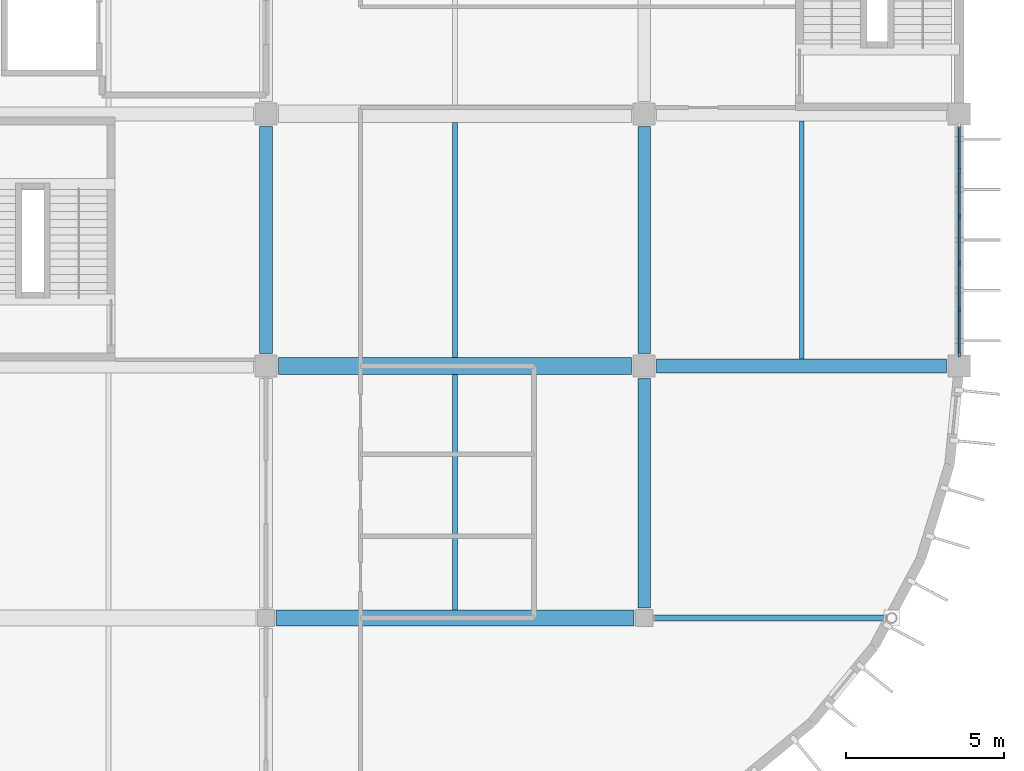
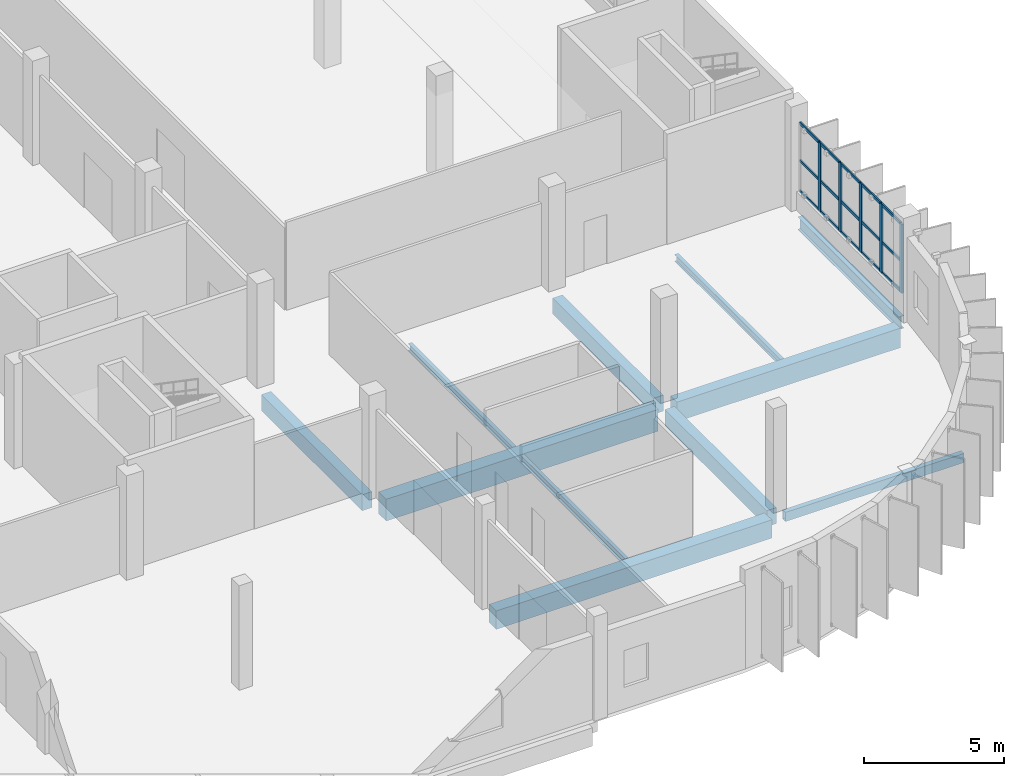
# One storey, part 42 of 93: 20 members, 11 beams, 1 element without a shape of its own.
"""IFC4 building model written with IfcOpenShell, lengths in metres."""

from ifc_helpers import new_model, si_unit, direction, frame, origin, origin_2d, place, context, subcontext, project, spatial, rectangle, hollow_rectangle, i_section, extrude, material, layer, layer_set, material_profile, profile_set, type_object, element, aggregate, save


model = new_model("IFC4")

# Units and contexts
model_context = context("Model", 3, precision=1e-05, world=origin(), true_north=direction((0.0, 1.0)))
body_context = subcontext(model_context, "Body", "Model", "MODEL_VIEW")
ifc_project = project(units=[si_unit("LENGTHUNIT", "METRE"), si_unit("AREAUNIT", "SQUARE_METRE"), si_unit("VOLUMEUNIT", "CUBIC_METRE"), si_unit("PLANEANGLEUNIT", "RADIAN"), si_unit("MASSUNIT", "GRAM", prefix="KILO")], contexts=[model_context])

# Site, building, storey
site_placement = place(None, origin())
site = spatial("IfcSite", under=ifc_project, at=site_placement, CompositionType="ELEMENT")
building_placement = place(site_placement, origin())
building = spatial("IfcBuilding", under=site, at=building_placement, Name="Drelvana Railside Aquatics Centre", CompositionType="ELEMENT")
storey_placement = place(building_placement, frame((0.0, 0.0, 5.39990234375)))
storey = spatial("IfcBuildingStorey", under=building, at=storey_placement, Name="L01", CompositionType="ELEMENT", Elevation=5.39990234375)

# Curtain wall, members
ifc_material_1 = material(Name="Bronze-anodised aluminium curtain wall", Category="aluminium")
ifc_layer = layer(ifc_material_1, 0.175048828125, Name="Bronze-anodised aluminium curtain wall")
ifc_layer_set = layer_set([ifc_layer], Name="Bronze-anodised aluminium curtain wall")
curtain_wall_type = type_object("IfcCurtainWallType", Name="CW-Z6-WING", PredefinedType="NOTDEFINED", material=ifc_layer_set)
curtain_wall_placement = place(storey_placement, origin())
curtain_wall = element("IfcCurtainWall", 1, at=curtain_wall_placement, inside=storey, type_object=curtain_wall_type, Name="Curtain wall CW-06-167", PredefinedType="NOTDEFINED")
ifc_material_2 = material(Name="Bronze-anodised aluminium 6063-T6", Category="aluminium")
ifc_material_profile_1 = material_profile(ifc_material_2, rectangle(XDim=0.06494140625, YDim=0.175048828125, at=origin_2d()), Name="ALU-M 65x175")
ifc_profile_set_1 = profile_set([ifc_material_profile_1], Name="Bronze-anodised aluminium 6063-T6")
member_type_1 = type_object("IfcMemberType", Name="CW-Z6-WING-MUL", PredefinedType="MULLION", material=ifc_profile_set_1)
member_1_placement = place(storey_placement, frame((184.0, 24.37646484375, 0.794189453125), z_axis=(0.0, 0.0, 1.0), x_axis=(-1.0, 0.0, 0.0)))
member_1 = element("IfcMember", 2, at=member_1_placement, type_object=member_type_1, Name="CW-06 mullion 1", PredefinedType="MULLION", context=body_context, shape_type="SweptSolid", body=[
    extrude(rectangle(XDim=0.06494140625, YDim=0.175048828125, at=origin_2d()), origin(), (0.0, 0.0, 1.0), 3.005859375),
])
member_2_placement = place(storey_placement, frame((184.0, 25.806396484375, 0.794189453125), z_axis=(0.0, 0.0, 1.0), x_axis=(-1.0, 0.0, 0.0)))
member_2 = element("IfcMember", 3, at=member_2_placement, type_object=member_type_1, Name="CW-06 mullion 2", PredefinedType="MULLION", context=body_context, shape_type="SweptSolid", body=[
    extrude(rectangle(XDim=0.06494140625, YDim=0.175048828125, at=origin_2d()), origin(), (0.0, 0.0, 1.0), 3.005859375),
])
member_3_placement = place(storey_placement, frame((184.0, 27.268798828125, 0.794189453125), z_axis=(0.0, 0.0, 1.0), x_axis=(-1.0, 0.0, 0.0)))
member_3 = element("IfcMember", 4, at=member_3_placement, type_object=member_type_1, Name="CW-06 mullion 3", PredefinedType="MULLION", context=body_context, shape_type="SweptSolid", body=[
    extrude(rectangle(XDim=0.06494140625, YDim=0.175048828125, at=origin_2d()), origin(), (0.0, 0.0, 1.0), 3.005859375),
])
member_4_placement = place(storey_placement, frame((184.0, 28.731201171875, 0.794189453125), z_axis=(0.0, 0.0, 1.0), x_axis=(-1.0, 0.0, 0.0)))
member_4 = element("IfcMember", 5, at=member_4_placement, type_object=member_type_1, Name="CW-06 mullion 4", PredefinedType="MULLION", context=body_context, shape_type="SweptSolid", body=[
    extrude(rectangle(XDim=0.06494140625, YDim=0.175048828125, at=origin_2d()), origin(), (0.0, 0.0, 1.0), 3.005859375),
])
member_5_placement = place(storey_placement, frame((184.0, 30.193603515625, 0.794189453125), z_axis=(0.0, 0.0, 1.0), x_axis=(-1.0, 0.0, 0.0)))
member_5 = element("IfcMember", 6, at=member_5_placement, type_object=member_type_1, Name="CW-06 mullion 5", PredefinedType="MULLION", context=body_context, shape_type="SweptSolid", body=[
    extrude(rectangle(XDim=0.06494140625, YDim=0.175048828125, at=origin_2d()), origin(), (0.0, 0.0, 1.0), 3.005859375),
])
ifc_material_profile_2 = material_profile(ifc_material_2, rectangle(XDim=0.1201171875, YDim=0.06005859375, at=origin_2d()), Name="ALU-T 60x120")
ifc_profile_set_2 = profile_set([ifc_material_profile_2], Name="Bronze-anodised aluminium 6063-T6")
member_type_2 = type_object("IfcMemberType", Name="CW-Z6-WING-TRN", PredefinedType="USERDEFINED", material=ifc_profile_set_2)
member_6_placement = place(storey_placement, frame((184.0, 24.404052734375, 0.82421875), z_axis=(0.0, 1.0, 0.0), x_axis=(0.0, 0.0, 1.0)))
member_6 = element("IfcMember", 7, at=member_6_placement, type_object=member_type_2, Name="CW-06 transom 1.1", ObjectType="TRANSOM", PredefinedType="USERDEFINED", context=body_context, shape_type="SweptSolid", body=[
    extrude(rectangle(XDim=0.1201171875, YDim=0.06005859375, at=origin_2d()), origin(), (0.0, 0.0, 1.0), 1.374755859375),
])
member_7_placement = place(storey_placement, frame((184.0, 24.404052734375, 2.147216796875), z_axis=(0.0, 1.0, 0.0), x_axis=(0.0, 0.0, 1.0)))
member_7 = element("IfcMember", 8, at=member_7_placement, type_object=member_type_2, Name="CW-06 transom 1.2", ObjectType="TRANSOM", PredefinedType="USERDEFINED", context=body_context, shape_type="SweptSolid", body=[
    extrude(rectangle(XDim=0.1201171875, YDim=0.06005859375, at=origin_2d()), origin(), (0.0, 0.0, 1.0), 1.374755859375),
])
member_8_placement = place(storey_placement, frame((184.0, 24.404052734375, 3.77001953125), z_axis=(0.0, 1.0, 0.0), x_axis=(0.0, 0.0, 1.0)))
member_8 = element("IfcMember", 9, at=member_8_placement, type_object=member_type_2, Name="CW-06 transom 1.3", ObjectType="TRANSOM", PredefinedType="USERDEFINED", context=body_context, shape_type="SweptSolid", body=[
    extrude(rectangle(XDim=0.1201171875, YDim=0.06005859375, at=origin_2d()), origin(), (0.0, 0.0, 1.0), 1.374755859375),
])
member_9_placement = place(storey_placement, frame((184.0, 25.833984375, 0.82421875), z_axis=(0.0, 1.0, 0.0), x_axis=(0.0, 0.0, 1.0)))
member_9 = element("IfcMember", 10, at=member_9_placement, type_object=member_type_2, Name="CW-06 transom 2.1", ObjectType="TRANSOM", PredefinedType="USERDEFINED", context=body_context, shape_type="SweptSolid", body=[
    extrude(rectangle(XDim=0.1201171875, YDim=0.06005859375, at=origin_2d()), origin(), (0.0, 0.0, 1.0), 1.4072265625),
])
member_10_placement = place(storey_placement, frame((184.0, 25.833984375, 2.147216796875), z_axis=(0.0, 1.0, 0.0), x_axis=(0.0, 0.0, 1.0)))
member_10 = element("IfcMember", 11, at=member_10_placement, type_object=member_type_2, Name="CW-06 transom 2.2", ObjectType="TRANSOM", PredefinedType="USERDEFINED", context=body_context, shape_type="SweptSolid", body=[
    extrude(rectangle(XDim=0.1201171875, YDim=0.06005859375, at=origin_2d()), origin(), (0.0, 0.0, 1.0), 1.4072265625),
])
member_11_placement = place(storey_placement, frame((184.0, 25.833984375, 3.77001953125), z_axis=(0.0, 1.0, 0.0), x_axis=(0.0, 0.0, 1.0)))
member_11 = element("IfcMember", 12, at=member_11_placement, type_object=member_type_2, Name="CW-06 transom 2.3", ObjectType="TRANSOM", PredefinedType="USERDEFINED", context=body_context, shape_type="SweptSolid", body=[
    extrude(rectangle(XDim=0.1201171875, YDim=0.06005859375, at=origin_2d()), origin(), (0.0, 0.0, 1.0), 1.4072265625),
])
member_12_placement = place(storey_placement, frame((184.0, 27.29638671875, 0.82421875), z_axis=(0.0, 1.0, 0.0), x_axis=(0.0, 0.0, 1.0)))
member_12 = element("IfcMember", 13, at=member_12_placement, type_object=member_type_2, Name="CW-06 transom 3.1", ObjectType="TRANSOM", PredefinedType="USERDEFINED", context=body_context, shape_type="SweptSolid", body=[
    extrude(rectangle(XDim=0.1201171875, YDim=0.06005859375, at=origin_2d()), origin(), (0.0, 0.0, 1.0), 1.4072265625),
])
member_13_placement = place(storey_placement, frame((184.0, 27.29638671875, 2.147216796875), z_axis=(0.0, 1.0, 0.0), x_axis=(0.0, 0.0, 1.0)))
member_13 = element("IfcMember", 14, at=member_13_placement, type_object=member_type_2, Name="CW-06 transom 3.2", ObjectType="TRANSOM", PredefinedType="USERDEFINED", context=body_context, shape_type="SweptSolid", body=[
    extrude(rectangle(XDim=0.1201171875, YDim=0.06005859375, at=origin_2d()), origin(), (0.0, 0.0, 1.0), 1.4072265625),
])
member_14_placement = place(storey_placement, frame((184.0, 27.29638671875, 3.77001953125), z_axis=(0.0, 1.0, 0.0), x_axis=(0.0, 0.0, 1.0)))
member_14 = element("IfcMember", 15, at=member_14_placement, type_object=member_type_2, Name="CW-06 transom 3.3", ObjectType="TRANSOM", PredefinedType="USERDEFINED", context=body_context, shape_type="SweptSolid", body=[
    extrude(rectangle(XDim=0.1201171875, YDim=0.06005859375, at=origin_2d()), origin(), (0.0, 0.0, 1.0), 1.4072265625),
])
member_15_placement = place(storey_placement, frame((184.0, 28.7587890625, 0.82421875), z_axis=(0.0, 1.0, 0.0), x_axis=(0.0, 0.0, 1.0)))
member_15 = element("IfcMember", 16, at=member_15_placement, type_object=member_type_2, Name="CW-06 transom 4.1", ObjectType="TRANSOM", PredefinedType="USERDEFINED", context=body_context, shape_type="SweptSolid", body=[
    extrude(rectangle(XDim=0.1201171875, YDim=0.06005859375, at=origin_2d()), origin(), (0.0, 0.0, 1.0), 1.4072265625),
])
member_16_placement = place(storey_placement, frame((184.0, 28.7587890625, 2.147216796875), z_axis=(0.0, 1.0, 0.0), x_axis=(0.0, 0.0, 1.0)))
member_16 = element("IfcMember", 17, at=member_16_placement, type_object=member_type_2, Name="CW-06 transom 4.2", ObjectType="TRANSOM", PredefinedType="USERDEFINED", context=body_context, shape_type="SweptSolid", body=[
    extrude(rectangle(XDim=0.1201171875, YDim=0.06005859375, at=origin_2d()), origin(), (0.0, 0.0, 1.0), 1.4072265625),
])
member_17_placement = place(storey_placement, frame((184.0, 28.7587890625, 3.77001953125), z_axis=(0.0, 1.0, 0.0), x_axis=(0.0, 0.0, 1.0)))
member_17 = element("IfcMember", 18, at=member_17_placement, type_object=member_type_2, Name="CW-06 transom 4.3", ObjectType="TRANSOM", PredefinedType="USERDEFINED", context=body_context, shape_type="SweptSolid", body=[
    extrude(rectangle(XDim=0.1201171875, YDim=0.06005859375, at=origin_2d()), origin(), (0.0, 0.0, 1.0), 1.4072265625),
])
member_18_placement = place(storey_placement, frame((184.0, 30.22119140625, 0.82421875), z_axis=(0.0, 1.0, 0.0), x_axis=(0.0, 0.0, 1.0)))
member_18 = element("IfcMember", 19, at=member_18_placement, type_object=member_type_2, Name="CW-06 transom 5.1", ObjectType="TRANSOM", PredefinedType="USERDEFINED", context=body_context, shape_type="SweptSolid", body=[
    extrude(rectangle(XDim=0.1201171875, YDim=0.06005859375, at=origin_2d()), origin(), (0.0, 0.0, 1.0), 1.374755859375),
])
member_19_placement = place(storey_placement, frame((184.0, 30.22119140625, 2.147216796875), z_axis=(0.0, 1.0, 0.0), x_axis=(0.0, 0.0, 1.0)))
member_19 = element("IfcMember", 20, at=member_19_placement, type_object=member_type_2, Name="CW-06 transom 5.2", ObjectType="TRANSOM", PredefinedType="USERDEFINED", context=body_context, shape_type="SweptSolid", body=[
    extrude(rectangle(XDim=0.1201171875, YDim=0.06005859375, at=origin_2d()), origin(), (0.0, 0.0, 1.0), 1.374755859375),
])
member_20_placement = place(storey_placement, frame((184.0, 30.22119140625, 3.77001953125), z_axis=(0.0, 1.0, 0.0), x_axis=(0.0, 0.0, 1.0)))
member_20 = element("IfcMember", 21, at=member_20_placement, type_object=member_type_2, Name="CW-06 transom 5.3", ObjectType="TRANSOM", PredefinedType="USERDEFINED", context=body_context, shape_type="SweptSolid", body=[
    extrude(rectangle(XDim=0.1201171875, YDim=0.06005859375, at=origin_2d()), origin(), (0.0, 0.0, 1.0), 1.374755859375),
])
aggregate(curtain_wall, [member_1, member_2, member_3, member_4, member_5, member_6, member_7, member_8, member_9, member_10, member_11, member_12, member_13, member_14, member_15, member_16, member_17, member_18, member_19, member_20])

# Beams
ifc_material_3 = material(Name="Concrete C40/50", Category="concrete")
ifc_material_profile_3 = material_profile(ifc_material_3, rectangle(XDim=0.39990234375, YDim=0.699951171875, at=origin_2d()), Name="RC 400x700")
ifc_profile_set_3 = profile_set([ifc_material_profile_3], Name="Concrete C40/50")
beam_type_1 = type_object("IfcBeamType", Name="STR-BM-BM-03-RC-400x700", PredefinedType="BEAM", material=ifc_profile_set_3)
beam_1_placement = place(storey_placement, frame((162.0, 24.39990234375, -0.625), z_axis=(0.0, 1.0, 0.0), x_axis=(-1.0, 0.0, 0.0)))
element("IfcBeam", 22, at=beam_1_placement, inside=storey, type_object=beam_type_1, Name="Girder BM-03 (L01)", PredefinedType="BEAM", context=body_context, shape_type="SweptSolid", body=[
    extrude(rectangle(XDim=0.39990234375, YDim=0.699951171875, at=origin_2d()), origin(), (0.0, 0.0, 1.0), 7.2001953125),
])
beam_2_placement = place(storey_placement, frame((174.0, 16.324951171875, -0.625), z_axis=(0.0, 1.0, 0.0), x_axis=(-1.0, 0.0, 0.0)))
element("IfcBeam", 23, at=beam_2_placement, inside=storey, type_object=beam_type_1, Name="Girder BM-03 (L01)", PredefinedType="BEAM", context=body_context, shape_type="SweptSolid", body=[
    extrude(rectangle(XDim=0.39990234375, YDim=0.699951171875, at=origin_2d()), origin(), (0.0, 0.0, 1.0), 7.275146484375),
])
beam_3_placement = place(storey_placement, frame((174.0, 24.39990234375, -0.625), z_axis=(0.0, 1.0, 0.0), x_axis=(-1.0, 0.0, 0.0)))
element("IfcBeam", 24, at=beam_3_placement, inside=storey, type_object=beam_type_1, Name="Girder BM-03 (L01)", PredefinedType="BEAM", context=body_context, shape_type="SweptSolid", body=[
    extrude(rectangle(XDim=0.39990234375, YDim=0.699951171875, at=origin_2d()), origin(), (0.0, 0.0, 1.0), 7.2001953125),
])
ifc_material_profile_4 = material_profile(ifc_material_3, rectangle(XDim=0.449951171875, YDim=0.85009765625, at=origin_2d()), Name="RC 450x850")
ifc_profile_set_4 = profile_set([ifc_material_profile_4], Name="Concrete C40/50")
beam_type_2 = type_object("IfcBeamType", Name="STR-BM-BM-05-RC-450x850", PredefinedType="BEAM", material=ifc_profile_set_4)
beam_4_placement = place(storey_placement, frame((174.39990234375, 24.0, -0.699951171875), z_axis=(1.0, 0.0, 0.0), x_axis=(0.0, 1.0, 0.0)))
element("IfcBeam", 25, at=beam_4_placement, inside=storey, type_object=beam_type_2, Name="Girder BM-05 (L01)", PredefinedType="BEAM", context=body_context, shape_type="SweptSolid", body=[
    extrude(rectangle(XDim=0.449951171875, YDim=0.85009765625, at=origin_2d()), origin(), (0.0, 0.0, 1.0), 9.2001953125),
])
ifc_material_profile_5 = material_profile(ifc_material_3, rectangle(XDim=0.5, YDim=0.800048828125, at=origin_2d()), Name="RC 500x800")
ifc_profile_set_5 = profile_set([ifc_material_profile_5], Name="Concrete C40/50")
beam_type_3 = type_object("IfcBeamType", Name="STR-BM-BM-06-RC-500x800", PredefinedType="SPANDREL", material=ifc_profile_set_5)
beam_5_placement = place(storey_placement, frame((162.324951171875, 16.0, -0.6748046875), z_axis=(1.0, 0.0, 0.0), x_axis=(0.0, 1.0, 0.0)))
element("IfcBeam", 26, at=beam_5_placement, inside=storey, type_object=beam_type_3, Name="Girder BM-06 (L01)", PredefinedType="SPANDREL", context=body_context, shape_type="SweptSolid", body=[
    extrude(rectangle(XDim=0.5, YDim=0.800048828125, at=origin_2d()), origin(), (0.0, 0.0, 1.0), 11.35009765625),
])
ifc_material_profile_6 = material_profile(ifc_material_3, rectangle(XDim=0.550048828125, YDim=0.949951171875, at=origin_2d()), Name="RC 550x950")
ifc_profile_set_6 = profile_set([ifc_material_profile_6], Name="Concrete C40/50")
beam_type_4 = type_object("IfcBeamType", Name="STR-BM-BM-08-RC-550x950", PredefinedType="BEAM", material=ifc_profile_set_6)
beam_6_placement = place(storey_placement, frame((162.39990234375, 24.0, -0.75), z_axis=(1.0, 0.0, 0.0), x_axis=(0.0, 1.0, 0.0)))
element("IfcBeam", 27, at=beam_6_placement, inside=storey, type_object=beam_type_4, Name="Girder BM-08 (L01)", PredefinedType="BEAM", context=body_context, shape_type="SweptSolid", body=[
    extrude(rectangle(XDim=0.550048828125, YDim=0.949951171875, at=origin_2d()), origin(), (0.0, 0.0, 1.0), 11.2001953125),
])
ifc_material_4 = material(Name="Structural steel S355", Category="steel")
ifc_material_profile_7 = material_profile(ifc_material_4, i_section(OverallWidth=0.2099609375, OverallDepth=0.550048828125, WebThickness=0.010986328125, FlangeThickness=0.01708984375, at=origin_2d()), Name="IPE 550")
ifc_profile_set_7 = profile_set([ifc_material_profile_7], Name="Structural steel S355")
beam_type_5 = type_object("IfcBeamType", Name="STR-SBM-SB-04-IPE-550", PredefinedType="SPANDREL", material=ifc_profile_set_7)
beam_7_placement = place(storey_placement, frame((184.0, 24.39990234375, -0.5498046875), z_axis=(0.0, 1.0, 0.0), x_axis=(-1.0, 0.0, 0.0)))
element("IfcBeam", 28, at=beam_7_placement, inside=storey, type_object=beam_type_5, Name="Girder SB-04 (L01)", PredefinedType="SPANDREL", context=body_context, shape_type="SweptSolid", body=[
    extrude(i_section(OverallWidth=0.2099609375, OverallDepth=0.550048828125, WebThickness=0.010986328125, FlangeThickness=0.01708984375, at=origin_2d()), origin(), (0.0, 0.0, 1.0), 7.2001953125),
])
ifc_material_profile_8 = material_profile(ifc_material_4, i_section(OverallWidth=0.14990234375, OverallDepth=0.300048828125, WebThickness=0.007080078125, FlangeThickness=0.0107421875, at=origin_2d()), Name="IPE 300")
ifc_profile_set_8 = profile_set([ifc_material_profile_8], Name="Structural steel S355")
beam_type_6 = type_object("IfcBeamType", Name="STR-SBM-SJ-03-IPE-300", PredefinedType="JOIST", material=ifc_profile_set_8)
beam_8_placement = place(storey_placement, frame((168.0, 16.25, -0.4248046875), z_axis=(0.0, 1.0, 0.0), x_axis=(-1.0, 0.0, 0.0)))
element("IfcBeam", 29, at=beam_8_placement, inside=storey, type_object=beam_type_6, Name="Secondary floor joist SJ-03 (L01)", PredefinedType="JOIST", context=body_context, shape_type="SweptSolid", body=[
    extrude(i_section(OverallWidth=0.14990234375, OverallDepth=0.300048828125, WebThickness=0.007080078125, FlangeThickness=0.0107421875, at=origin_2d()), origin(), (0.0, 0.0, 1.0), 7.47509765625),
])
beam_9_placement = place(storey_placement, frame((168.0, 24.27490234375, -0.4248046875), z_axis=(0.0, 1.0, 0.0), x_axis=(-1.0, 0.0, 0.0)))
element("IfcBeam", 30, at=beam_9_placement, inside=storey, type_object=beam_type_6, Name="Secondary floor joist SJ-03 (L01)", PredefinedType="JOIST", context=body_context, shape_type="SweptSolid", body=[
    extrude(i_section(OverallWidth=0.14990234375, OverallDepth=0.300048828125, WebThickness=0.007080078125, FlangeThickness=0.0107421875, at=origin_2d()), origin(), (0.0, 0.0, 1.0), 7.4501953125),
])
beam_10_placement = place(storey_placement, frame((179.0, 24.22509765625, -0.4248046875), z_axis=(0.0, 1.0, 0.0), x_axis=(-1.0, 0.0, 0.0)))
element("IfcBeam", 31, at=beam_10_placement, inside=storey, type_object=beam_type_6, Name="Secondary floor joist SJ-03 (L01)", PredefinedType="JOIST", context=body_context, shape_type="SweptSolid", body=[
    extrude(i_section(OverallWidth=0.14990234375, OverallDepth=0.300048828125, WebThickness=0.007080078125, FlangeThickness=0.0107421875, at=origin_2d()), origin(), (0.0, 0.0, 1.0), 7.5498046875),
])
ifc_material_profile_9 = material_profile(ifc_material_4, hollow_rectangle(XDim=0.199951171875, YDim=0.39990234375, WallThickness=0.012451171875, at=origin_2d()), Name="RHS 400x200x12.5")
ifc_profile_set_9 = profile_set([ifc_material_profile_9], Name="Structural steel S355")
beam_type_7 = type_object("IfcBeamType", Name="STR-SBM-SP-01-RHS-400x200x12.5", PredefinedType="SPANDREL", material=ifc_profile_set_9)
beam_11_placement = place(storey_placement, frame((174.324951171875, 16.0, -0.474853515625), z_axis=(1.0, 0.0, 0.0), x_axis=(0.0, 1.0, 0.0)))
element("IfcBeam", 32, at=beam_11_placement, inside=storey, type_object=beam_type_7, Name="Girder SP-01 (L01)", PredefinedType="SPANDREL", context=body_context, shape_type="SweptSolid", body=[
    extrude(hollow_rectangle(XDim=0.199951171875, YDim=0.39990234375, WallThickness=0.012451171875, at=origin_2d()), origin(), (0.0, 0.0, 1.0), 7.357177734375),
])

save(model, "model.ifc")
